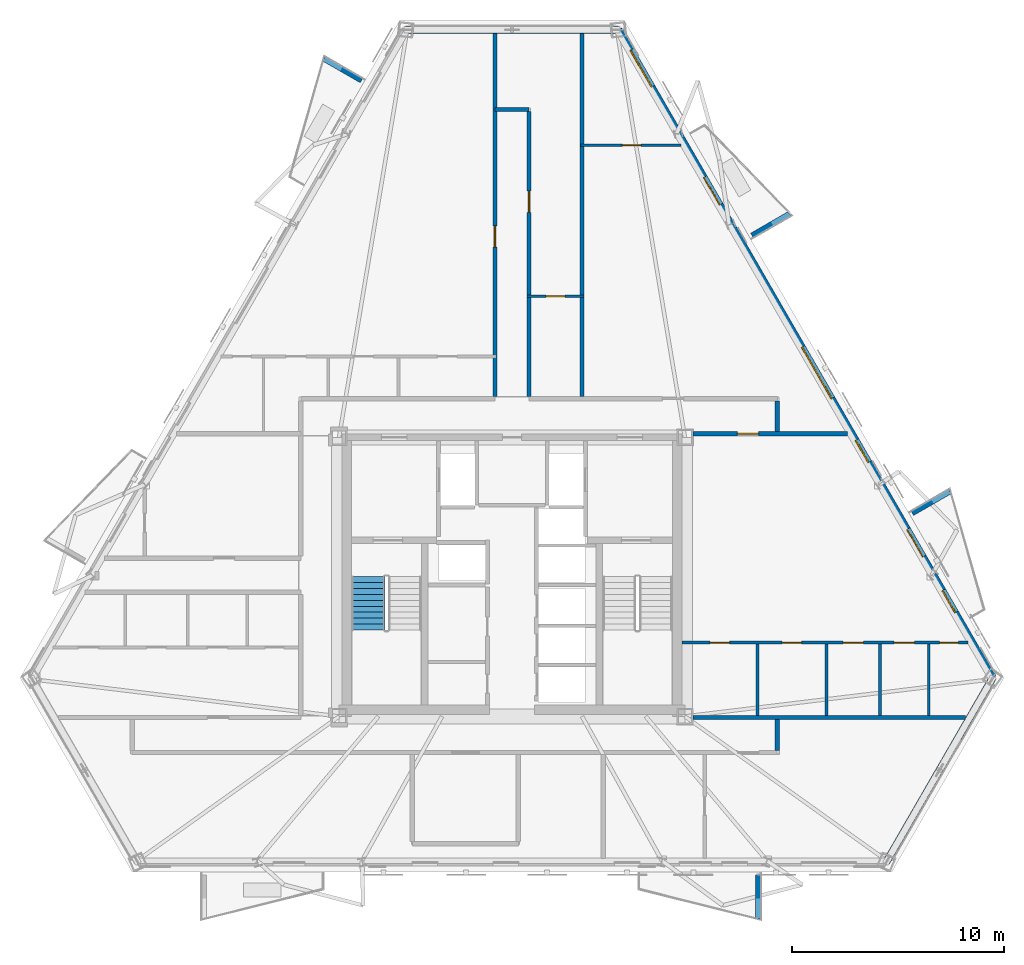
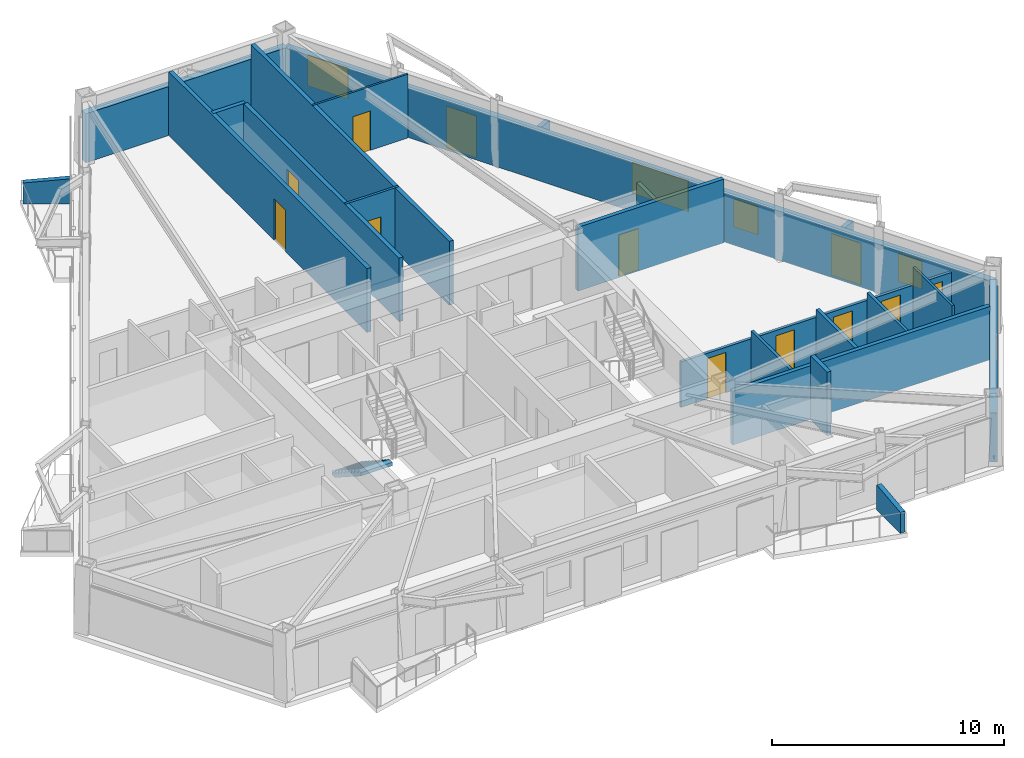
# One storey, part 5 of 9: 22 walls, 12 doors, 4 windows, 1 stair flight, 16 openings, 1 element without a shape of its own.
"""IFC4 building model written with IfcOpenShell, lengths in metres."""

from ifc_helpers import new_model, si_unit, direction, frame, frame_2d, origin, place, context, subcontext, project, spatial, polyline, rectangle, outline, extrude, material, layer, layer_set, type_object, element, fill, aggregate, save


model = new_model("IFC4")

# Units and contexts
model_context = context("Model", 3, precision=1e-05, world=origin(), true_north=direction((0.0, 1.0)))
body_context = subcontext(model_context, "Body", "Model", "MODEL_VIEW")
ifc_project = project(units=[si_unit("LENGTHUNIT", "METRE"), si_unit("AREAUNIT", "SQUARE_METRE"), si_unit("VOLUMEUNIT", "CUBIC_METRE"), si_unit("PLANEANGLEUNIT", "RADIAN"), si_unit("MASSUNIT", "GRAM", prefix="KILO")], contexts=[model_context])

# Site, building, storey
site_placement = place(None, origin())
site = spatial("IfcSite", under=ifc_project, at=site_placement, CompositionType="ELEMENT")
building_placement = place(site_placement, origin())
building = spatial("IfcBuilding", under=site, at=building_placement, Name="Oramaril Tower", CompositionType="ELEMENT")
storey_placement = place(building_placement, frame((0.0, 0.0, 138.60009765625)))
storey = spatial("IfcBuildingStorey", under=building, at=storey_placement, Name="L36", CompositionType="ELEMENT", Elevation=138.60009765625)

# Wall
ifc_material_1 = material(Name="Warm Cream Limestone", Category="masonry")
ifc_layer_1 = layer(ifc_material_1, 0.340087890625)
ifc_layer_set_1 = layer_set([ifc_layer_1], Name="WT-EXT34")
wall_type_1 = type_object("IfcWallType", Name="WT-EXT34", PredefinedType="SOLIDWALL", material=ifc_layer_set_1)
wall_1_placement = place(storey_placement, frame((55.132080078125, 4.120849609375, 0.0), z_axis=(0.0, 0.0, 1.0), x_axis=(0.500007885066, 0.866020851292, 0.0)))
element("IfcWall", 1, at=wall_1_placement, inside=storey, type_object=wall_type_1, Name="L36 Tower Limestone Facade Wall 3M", PredefinedType="SOLIDWALL", context=body_context, shape_type="SweptSolid", body=[
    extrude(rectangle(XDim=10.044677734375, YDim=0.340087890625, at=frame_2d((5.0224609375, 0.0))), origin(), (0.0, 0.0, 1.0), 2.579833984375),
])

# Wall, openings, doors, windows
wall_2_placement = place(storey_placement, frame((60.154541015625, 12.81982421875, 0.0), z_axis=(0.0, 0.0, 1.0), x_axis=(-0.499998325337, 0.86602637065, 0.0)))
wall_2 = element("IfcWall", 2, at=wall_2_placement, inside=storey, type_object=wall_type_1, Name="L36 Tower Limestone Facade Wall 4M", PredefinedType="SOLIDWALL", context=body_context, shape_type="SweptSolid", body=[
    extrude(rectangle(XDim=35.26416015625, YDim=0.340087890625, at=frame_2d((17.632080078125, 0.0))), origin(), (0.0, 0.0, 1.0), 2.579833984375),
])
opening_1_placement = place(wall_2_placement, frame((6.579345703125, 0.0, 0.0)))
opening_1 = element("IfcOpeningElement", 3, at=opening_1_placement, cuts=wall_2, Name="Opening D-L36-BAL-NE1", PredefinedType="OPENING", context=body_context, shape_type="SweptSolid", body=[
    extrude(rectangle(XDim=1.5, YDim=2.199951171875, at=frame_2d((0.75, 1.10009765625))), frame((0.0, 0.169921875, 0.0), z_axis=(0.0, -1.0, 0.0), x_axis=(1.0, 0.0, 0.0)), (0.0, 0.0, 1.0), 0.340087890625),
])
opening_2_placement = place(wall_2_placement, frame((25.729736328125, 0.0, 0.0)))
opening_2 = element("IfcOpeningElement", 4, at=opening_2_placement, cuts=wall_2, Name="Opening D-L36-BAL-NE2", PredefinedType="OPENING", context=body_context, shape_type="SweptSolid", body=[
    extrude(rectangle(XDim=1.5, YDim=2.199951171875, at=frame_2d((0.75, 1.10009765625))), frame((0.0, 0.169921875, 0.0), z_axis=(0.0, -1.0, 0.0), x_axis=(1.0, 0.0, 0.0)), (0.0, 0.0, 1.0), 0.340087890625),
])
opening_3_placement = place(wall_2_placement, frame((3.541015625, 0.0, 0.85009765625)))
opening_3 = element("IfcOpeningElement", 5, at=opening_3_placement, cuts=wall_2, Name="Opening WN-09", PredefinedType="OPENING", context=body_context, shape_type="SweptSolid", body=[
    extrude(rectangle(XDim=1.199951171875, YDim=1.47998046875, at=frame_2d((0.60009765625, 0.739990234375))), frame((0.0, 0.169921875, 0.0), z_axis=(0.0, -1.0, 0.0), x_axis=(1.0, 0.0, 0.0)), (0.0, 0.0, 1.0), 0.340087890625),
])
opening_4_placement = place(wall_2_placement, frame((11.719482421875, 0.0, 0.85009765625)))
opening_4 = element("IfcOpeningElement", 6, at=opening_4_placement, cuts=wall_2, Name="Opening WN-09", PredefinedType="OPENING", context=body_context, shape_type="SweptSolid", body=[
    extrude(rectangle(XDim=1.199951171875, YDim=1.47998046875, at=frame_2d((0.60009765625, 0.739990234375))), frame((0.0, 0.169921875, 0.0), z_axis=(0.0, -1.0, 0.0), x_axis=(1.0, 0.0, 0.0)), (0.0, 0.0, 1.0), 0.340087890625),
])
opening_5_placement = place(wall_2_placement, frame((15.188720703125, 0.0, 0.85009765625)))
opening_5 = element("IfcOpeningElement", 7, at=opening_5_placement, cuts=wall_2, Name="Opening WN-01", PredefinedType="OPENING", context=body_context, shape_type="SweptSolid", body=[
    extrude(rectangle(XDim=2.800048828125, YDim=1.6201171875, at=frame_2d((1.39990234375, 0.81005859375))), frame((0.0, 0.169921875, 0.0), z_axis=(0.0, -1.0, 0.0), x_axis=(1.0, 0.0, 0.0)), (0.0, 0.0, 1.0), 0.340087890625),
])
opening_6_placement = place(wall_2_placement, frame((32.1474609375, 0.0, 0.85009765625)))
opening_6 = element("IfcOpeningElement", 8, at=opening_6_placement, cuts=wall_2, Name="Opening WN-05", PredefinedType="OPENING", context=body_context, shape_type="SweptSolid", body=[
    extrude(rectangle(XDim=2.0, YDim=1.6201171875, at=frame_2d((1.0, 0.81005859375))), frame((0.0, 0.169921875, 0.0), z_axis=(0.0, -1.0, 0.0), x_axis=(1.0, 0.0, 0.0)), (0.0, 0.0, 1.0), 0.340087890625),
])
ifc_material_2 = material(Name="Anodised Aluminium 6063-T6", Category="aluminium")
door_type_1 = type_object("IfcDoorType", Name="DT-BAL", OperationType="NOTDEFINED", PredefinedType="DOOR", material=ifc_material_2)
door_1_placement = place(opening_1_placement, origin())
door_1 = element("IfcDoor", 9, at=door_1_placement, inside=storey, type_object=door_type_1, Name="L36 Balcony Glazed Door L36-BAL-NE1", OperationType="SINGLE_SWING_LEFT", OverallHeight=2.199951171875, OverallWidth=1.5, PredefinedType="DOOR", context=body_context, shape_type="SweptSolid", body=[
    extrude(rectangle(XDim=1.5, YDim=2.199951171875, at=frame_2d((0.75, 1.10009765625))), frame((0.0, 0.02490234375, 0.0), z_axis=(0.0, -1.0, 0.0), x_axis=(1.0, 0.0, 0.0)), (0.0, 0.0, 1.0), 0.050048828125),
])
fill(opening_1, door_1)
door_2_placement = place(opening_2_placement, origin())
door_2 = element("IfcDoor", 10, at=door_2_placement, inside=storey, type_object=door_type_1, Name="L36 Balcony Glazed Door L36-BAL-NE2", OperationType="SINGLE_SWING_RIGHT", OverallHeight=2.199951171875, OverallWidth=1.5, PredefinedType="DOOR", context=body_context, shape_type="SweptSolid", body=[
    extrude(rectangle(XDim=1.5, YDim=2.199951171875, at=frame_2d((0.75, 1.10009765625))), frame((0.0, 0.02490234375, 0.0), z_axis=(0.0, -1.0, 0.0), x_axis=(1.0, 0.0, 0.0)), (0.0, 0.0, 1.0), 0.050048828125),
])
fill(opening_2, door_2)
ifc_material_3 = material(Name="Coastal Low-E Insulated Glass", Category="glass")
window_type_1 = type_object("IfcWindowType", Name="WNT-01", PartitioningType="SINGLE_PANEL", PredefinedType="WINDOW", material=ifc_material_3)
window_1_placement = place(opening_5_placement, origin())
window_1 = element("IfcWindow", 11, at=window_1_placement, inside=storey, type_object=window_type_1, Name="L36 Chicago Bay Window WN-01", OverallHeight=1.6201171875, OverallWidth=2.800048828125, PartitioningType="SINGLE_PANEL", PredefinedType="WINDOW", context=body_context, shape_type="SweptSolid", body=[
    extrude(rectangle(XDim=2.800048828125, YDim=1.6201171875, at=frame_2d((1.39990234375, 0.81005859375))), frame((0.0, 0.030029296875, 0.0), z_axis=(0.0, -1.0, 0.0), x_axis=(1.0, 0.0, 0.0)), (0.0, 0.0, 1.0), 0.06005859375),
])
fill(opening_5, window_1)
ifc_material_4 = material(Name="Coastal Low-E Insulated Glass", Category="glass")
window_type_2 = type_object("IfcWindowType", Name="WNT-05", PartitioningType="SINGLE_PANEL", PredefinedType="WINDOW", material=ifc_material_4)
window_2_placement = place(opening_6_placement, origin())
window_2 = element("IfcWindow", 12, at=window_2_placement, inside=storey, type_object=window_type_2, Name="L36 Chicago Bay Window WN-05", OverallHeight=1.6201171875, OverallWidth=2.0, PartitioningType="SINGLE_PANEL", PredefinedType="WINDOW", context=body_context, shape_type="SweptSolid", body=[
    extrude(rectangle(XDim=2.0, YDim=1.6201171875, at=frame_2d((1.0, 0.81005859375))), frame((0.0, 0.030029296875, 0.0), z_axis=(0.0, -1.0, 0.0), x_axis=(1.0, 0.0, 0.0)), (0.0, 0.0, 1.0), 0.06005859375),
])
fill(opening_6, window_2)
ifc_material_5 = material(Name="Coastal Low-E Insulated Glass", Category="glass")
window_type_3 = type_object("IfcWindowType", Name="WNT-09", PartitioningType="SINGLE_PANEL", PredefinedType="WINDOW", material=ifc_material_5)
window_3_placement = place(opening_3_placement, origin())
window_3 = element("IfcWindow", 13, at=window_3_placement, inside=storey, type_object=window_type_3, Name="L36 Chicago Bay Window WN-09", OverallHeight=1.47998046875, OverallWidth=1.199951171875, PartitioningType="SINGLE_PANEL", PredefinedType="WINDOW", context=body_context, shape_type="SweptSolid", body=[
    extrude(rectangle(XDim=1.199951171875, YDim=1.47998046875, at=frame_2d((0.60009765625, 0.739990234375))), frame((0.0, 0.030029296875, 0.0), z_axis=(0.0, -1.0, 0.0), x_axis=(1.0, 0.0, 0.0)), (0.0, 0.0, 1.0), 0.06005859375),
])
fill(opening_3, window_3)
window_4_placement = place(opening_4_placement, origin())
window_4 = element("IfcWindow", 14, at=window_4_placement, inside=storey, type_object=window_type_3, Name="L36 Chicago Bay Window WN-09", OverallHeight=1.47998046875, OverallWidth=1.199951171875, PartitioningType="SINGLE_PANEL", PredefinedType="WINDOW", context=body_context, shape_type="SweptSolid", body=[
    extrude(rectangle(XDim=1.199951171875, YDim=1.47998046875, at=frame_2d((0.60009765625, 0.739990234375))), frame((0.0, 0.030029296875, 0.0), z_axis=(0.0, -1.0, 0.0), x_axis=(1.0, 0.0, 0.0)), (0.0, 0.0, 1.0), 0.06005859375),
])
fill(opening_4, window_4)

# Walls
wall_3_placement = place(storey_placement, frame((42.5224609375, 43.359619140625, 0.0), z_axis=(0.0, 0.0, 1.0), x_axis=(-1.0, 0.0, 0.0)))
element("IfcWall", 15, at=wall_3_placement, inside=storey, type_object=wall_type_1, Name="L36 Tower Limestone Facade Wall 5M", PredefinedType="SOLIDWALL", context=body_context, shape_type="SweptSolid", body=[
    extrude(rectangle(XDim=10.044921875, YDim=0.340087890625, at=frame_2d((5.0224609375, 0.0))), origin(), (0.0, 0.0, 1.0), 2.579833984375),
])
ifc_material_6 = material(Name="Concrete C40/50", Category="concrete")
ifc_layer_2 = layer(ifc_material_6, 0.22998046875)
ifc_layer_set_2 = layer_set([ifc_layer_2], Name="WT-PRP23")
wall_type_2 = type_object("IfcWallType", Name="WT-PRP23", PredefinedType="PARAPET", material=ifc_layer_set_2)
for number, where, z_axis, x_axis, name in (
    (16, (49.0927734375, 3.522705078125, 0.0), (0.0, 0.0, 1.0), (0.0, -1.0, 0.0), "L36 Trapezoidal Balcony Frame Cheek L36-BAL-S2-R"),
    (17, (56.3701171875, 20.5703125, 0.0), (0.0, 0.0, 1.0), (0.866042246008, 0.499970827278, 0.0), "L36 Trapezoidal Balcony Frame Cheek L36-BAL-NE1-R"),
    (18, (48.804931640625, 33.673583984375, 0.0), (0.0, 0.0, 1.0), (0.866042246008, 0.499970827278, 0.0), "L36 Trapezoidal Balcony Frame Cheek L36-BAL-NE2-L"),
):
    element("IfcWall", number, at=place(storey_placement, frame(where, z_axis=z_axis, x_axis=x_axis)), inside=storey, type_object=wall_type_2, Name=name, PredefinedType="PARAPET", context=body_context, shape_type="SweptSolid", body=[
        extrude(outline(polyline([(0.0, 0.0), (2.0419921875, 0.0), (2.0419921875, 1.099853515625), (0.0, 1.31982421875), (0.0, 0.0)])), frame((0.0, 0.114990234375, 0.0), z_axis=(0.0, -1.0, 0.0), x_axis=(1.0, 0.0, 0.0)), (0.0, 0.0, 1.0), 0.22998046875),
    ])
wall_4_placement = place(storey_placement, frame((30.402587890625, 40.961181640625, 0.0), z_axis=(0.0, 0.0, 1.0), x_axis=(-0.865990478488, 0.500060487509, 0.0)))
element("IfcWall", 19, at=wall_4_placement, inside=storey, type_object=wall_type_2, Name="L36 Trapezoidal Balcony Frame Cheek L36-BAL-NW1-L", PredefinedType="PARAPET", context=body_context, shape_type="SweptSolid", body=[
    extrude(outline(polyline([(0.0, 0.0), (2.042236328125, 0.0), (2.0419921875, 1.099853515625), (0.0, 1.31982421875), (0.0, 0.0)])), frame((0.0, 0.114990234375, 0.0), z_axis=(0.0, -1.0, 0.0), x_axis=(1.0, 0.0, 0.0)), (0.0, 0.0, 1.0), 0.22998046875),
])

# Wall, opening, door
ifc_material_7 = material(Name="Acoustic Gypsum Board Partition")
ifc_layer_3 = layer(ifc_material_7, 0.10009765625)
ifc_layer_set_3 = layer_set([ifc_layer_3], Name="WT-PT10")
wall_type_3 = type_object("IfcWallType", Name="WT-PT10", PredefinedType="PARTITIONING", material=ifc_layer_set_3)
wall_5_placement = place(storey_placement, frame((40.718017578125, 37.919921875, 0.0), z_axis=(0.0, 0.0, 1.0), x_axis=(1.0, 0.0, 0.0)))
wall_5 = element("IfcWall", 20, at=wall_5_placement, inside=storey, type_object=wall_type_3, Name="L36 Interior Partition PT-10", PredefinedType="PARTITIONING", context=body_context, shape_type="SweptSolid", body=[
    extrude(rectangle(XDim=4.743896484375, YDim=0.10009765625, at=frame_2d((2.3720703125, 0.0))), origin(), (0.0, 0.0, 1.0), 3.35986328125),
])
opening_7_placement = place(wall_5_placement, frame((1.9873046875, 0.0, 0.0)))
opening_7 = element("IfcOpeningElement", 21, at=opening_7_placement, cuts=wall_5, Name="Opening D-L36-21", PredefinedType="OPENING", context=body_context, shape_type="SweptSolid", body=[
    extrude(rectangle(XDim=0.8798828125, YDim=2.080078125, at=frame_2d((0.43994140625, 1.0400390625))), frame((0.0, 0.050048828125, 0.0), z_axis=(0.0, -1.0, 0.0), x_axis=(1.0, 0.0, 0.0)), (0.0, 0.0, 1.0), 0.10009765625),
])
ifc_material_8 = material(Name="FSC Brazilian Freijo Hardwood", Category="wood")
door_type_2 = type_object("IfcDoorType", Name="DT-BATH", OperationType="NOTDEFINED", PredefinedType="DOOR", material=ifc_material_8)
door_3_placement = place(opening_7_placement, origin())
door_3 = element("IfcDoor", 22, at=door_3_placement, inside=storey, type_object=door_type_2, Name="L36 Flat L36-U8 Bathroom Door D-L36-21", OperationType="SINGLE_SWING_LEFT", OverallHeight=2.080078125, OverallWidth=0.8798828125, PredefinedType="DOOR", context=body_context, shape_type="SweptSolid", body=[
    extrude(rectangle(XDim=0.8798828125, YDim=2.080078125, at=frame_2d((0.43994140625, 1.0400390625))), frame((0.0, 0.02490234375, 0.0), z_axis=(0.0, -1.0, 0.0), x_axis=(1.0, 0.0, 0.0)), (0.0, 0.0, 1.0), 0.050048828125),
])
fill(opening_7, door_3)

ifc_material_9 = material(Name="Acoustic Gypsum Board Partition")
ifc_layer_4 = layer(ifc_material_9, 0.1201171875)
ifc_layer_set_4 = layer_set([ifc_layer_4], Name="WT-PT12")
wall_type_4 = type_object("IfcWallType", Name="WT-PT12", PredefinedType="PARTITIONING", material=ifc_layer_set_4)
wall_6_placement = place(storey_placement, frame((38.218017578125, 30.800048828125, 0.0), z_axis=(0.0, 0.0, 1.0), x_axis=(1.0, 0.0, 0.0)))
wall_6 = element("IfcWall", 23, at=wall_6_placement, inside=storey, type_object=wall_type_4, Name="L36 Interior Partition PT-12", PredefinedType="PARTITIONING", context=body_context, shape_type="SweptSolid", body=[
    extrude(rectangle(XDim=2.6640625, YDim=0.1201171875, at=frame_2d((1.33203125, 0.0))), origin(), (0.0, 0.0, 1.0), 3.35986328125),
])
opening_8_placement = place(wall_6_placement, frame((0.89208984375, 0.0, 0.0)))
opening_8 = element("IfcOpeningElement", 24, at=opening_8_placement, cuts=wall_6, Name="Opening D-L36-20", PredefinedType="OPENING", context=body_context, shape_type="SweptSolid", body=[
    extrude(rectangle(XDim=0.8798828125, YDim=2.080078125, at=frame_2d((0.43994140625, 1.0400390625))), frame((0.0, 0.06005859375, 0.0), z_axis=(0.0, -1.0, 0.0), x_axis=(1.0, 0.0, 0.0)), (0.0, 0.0, 1.0), 0.1201171875),
])
door_4_placement = place(opening_8_placement, origin())
door_4 = element("IfcDoor", 25, at=door_4_placement, inside=storey, type_object=door_type_2, Name="L36 Flat L36-U7 Bathroom Door D-L36-20", OperationType="SINGLE_SWING_RIGHT", OverallHeight=2.080078125, OverallWidth=0.8798828125, PredefinedType="DOOR", context=body_context, shape_type="SweptSolid", body=[
    extrude(rectangle(XDim=0.8798828125, YDim=2.080078125, at=frame_2d((0.43994140625, 1.0400390625))), frame((0.0, 0.02490234375, 0.0), z_axis=(0.0, -1.0, 0.0), x_axis=(1.0, 0.0, 0.0)), (0.0, 0.0, 1.0), 0.050048828125),
])
fill(opening_8, door_4)

# Wall
wall_7_placement = place(storey_placement, frame((57.1298828125, 11.053955078125, 0.0), z_axis=(0.0, 0.0, 1.0), x_axis=(0.0, 1.0, 0.0)))
element("IfcWall", 26, at=wall_7_placement, inside=storey, type_object=wall_type_4, Name="L36 Interior Partition PT-12", PredefinedType="PARTITIONING", context=body_context, shape_type="SweptSolid", body=[
    extrude(rectangle(XDim=3.35205078125, YDim=0.1201171875, at=frame_2d((1.676025390625, 0.0))), origin(), (0.0, 0.0, 1.0), 3.35986328125),
])

# Wall, openings, doors
ifc_material_10 = material(Name="Acoustic Gypsum Board Partition")
ifc_layer_5 = layer(ifc_material_10, 0.139892578125)
ifc_layer_set_5 = layer_set([ifc_layer_5], Name="WT-PT14")
wall_type_5 = type_object("IfcWallType", Name="WT-PT14", PredefinedType="PARTITIONING", material=ifc_layer_set_5)
wall_8_placement = place(storey_placement, frame((45.513916015625, 14.47998046875, 0.0), z_axis=(0.0, 0.0, 1.0), x_axis=(1.0, 0.0, 0.0)))
wall_8 = element("IfcWall", 27, at=wall_8_placement, inside=storey, type_object=wall_type_5, Name="L36 Interior Partition PT-14", PredefinedType="PARTITIONING", context=body_context, shape_type="SweptSolid", body=[
    extrude(rectangle(XDim=13.481201171875, YDim=0.139892578125, at=frame_2d((6.74072265625, 0.0))), origin(), (0.0, 0.0, 1.0), 2.39990234375),
])
opening_9_placement = place(wall_8_placement, frame((1.32421875, 0.0, 0.0)))
opening_9 = element("IfcOpeningElement", 28, at=opening_9_placement, cuts=wall_8, Name="Opening D-L36-08", PredefinedType="OPENING", context=body_context, shape_type="SweptSolid", body=[
    extrude(rectangle(XDim=0.919921875, YDim=2.1201171875, at=frame_2d((0.4599609375, 1.06005859375))), frame((0.0, 0.06982421875, 0.0), z_axis=(0.0, -1.0, 0.0), x_axis=(1.0, 0.0, 0.0)), (0.0, 0.0, 1.0), 0.139892578125),
])
opening_10_placement = place(wall_8_placement, frame((4.720703125, 0.0, 0.0)))
opening_10 = element("IfcOpeningElement", 29, at=opening_10_placement, cuts=wall_8, Name="Opening D-L36-09", PredefinedType="OPENING", context=body_context, shape_type="SweptSolid", body=[
    extrude(rectangle(XDim=0.919921875, YDim=2.1201171875, at=frame_2d((0.4599609375, 1.06005859375))), frame((0.0, 0.06982421875, 0.0), z_axis=(0.0, -1.0, 0.0), x_axis=(1.0, 0.0, 0.0)), (0.0, 0.0, 1.0), 0.139892578125),
])
opening_11_placement = place(wall_8_placement, frame((7.590576171875, 0.0, 0.0)))
opening_11 = element("IfcOpeningElement", 30, at=opening_11_placement, cuts=wall_8, Name="Opening D-L36-10", PredefinedType="OPENING", context=body_context, shape_type="SweptSolid", body=[
    extrude(rectangle(XDim=0.949951171875, YDim=2.10009765625, at=frame_2d((0.47509765625, 1.050048828125))), frame((0.0, 0.06982421875, 0.0), z_axis=(0.0, -1.0, 0.0), x_axis=(1.0, 0.0, 0.0)), (0.0, 0.0, 1.0), 0.139892578125),
])
opening_12_placement = place(wall_8_placement, frame((9.995361328125, 0.0, 0.0)))
opening_12 = element("IfcOpeningElement", 31, at=opening_12_placement, cuts=wall_8, Name="Opening D-L36-11", PredefinedType="OPENING", context=body_context, shape_type="SweptSolid", body=[
    extrude(rectangle(XDim=0.949951171875, YDim=2.10009765625, at=frame_2d((0.47509765625, 1.050048828125))), frame((0.0, 0.06982421875, 0.0), z_axis=(0.0, -1.0, 0.0), x_axis=(1.0, 0.0, 0.0)), (0.0, 0.0, 1.0), 0.139892578125),
])
opening_13_placement = place(wall_8_placement, frame((12.138671875, 0.0, 0.0)))
opening_13 = element("IfcOpeningElement", 32, at=opening_13_placement, cuts=wall_8, Name="Opening D-L36-12", PredefinedType="OPENING", context=body_context, shape_type="SweptSolid", body=[
    extrude(rectangle(XDim=0.8798828125, YDim=2.080078125, at=frame_2d((0.43994140625, 1.0400390625))), frame((0.0, 0.06982421875, 0.0), z_axis=(0.0, -1.0, 0.0), x_axis=(1.0, 0.0, 0.0)), (0.0, 0.0, 1.0), 0.139892578125),
])
door_5_placement = place(opening_13_placement, origin())
door_5 = element("IfcDoor", 33, at=door_5_placement, inside=storey, type_object=door_type_2, Name="L36 Flat L36-U5 Bathroom Door D-L36-12", OperationType="SINGLE_SWING_RIGHT", OverallHeight=2.080078125, OverallWidth=0.8798828125, PredefinedType="DOOR", context=body_context, shape_type="SweptSolid", body=[
    extrude(rectangle(XDim=0.8798828125, YDim=2.080078125, at=frame_2d((0.43994140625, 1.0400390625))), frame((0.0, 0.02490234375, 0.0), z_axis=(0.0, -1.0, 0.0), x_axis=(1.0, 0.0, 0.0)), (0.0, 0.0, 1.0), 0.050048828125),
])
fill(opening_13, door_5)
ifc_material_11 = material(Name="FSC Brazilian Freijo Hardwood", Category="wood")
door_type_3 = type_object("IfcDoorType", Name="DT-BED", OperationType="NOTDEFINED", PredefinedType="DOOR", material=ifc_material_11)
door_6_placement = place(opening_9_placement, origin())
door_6 = element("IfcDoor", 34, at=door_6_placement, inside=storey, type_object=door_type_3, Name="L36 Flat L36-U5 Master Bedroom Door D-L36-08", OperationType="SINGLE_SWING_RIGHT", OverallHeight=2.1201171875, OverallWidth=0.919921875, PredefinedType="DOOR", context=body_context, shape_type="SweptSolid", body=[
    extrude(rectangle(XDim=0.919921875, YDim=2.1201171875, at=frame_2d((0.4599609375, 1.06005859375))), frame((0.0, 0.02490234375, 0.0), z_axis=(0.0, -1.0, 0.0), x_axis=(1.0, 0.0, 0.0)), (0.0, 0.0, 1.0), 0.050048828125),
])
fill(opening_9, door_6)
door_7_placement = place(opening_10_placement, origin())
door_7 = element("IfcDoor", 35, at=door_7_placement, inside=storey, type_object=door_type_3, Name="L36 Flat L36-U5 Bedroom 2 Door D-L36-09", OperationType="SINGLE_SWING_LEFT", OverallHeight=2.1201171875, OverallWidth=0.919921875, PredefinedType="DOOR", context=body_context, shape_type="SweptSolid", body=[
    extrude(rectangle(XDim=0.919921875, YDim=2.1201171875, at=frame_2d((0.4599609375, 1.06005859375))), frame((0.0, 0.02490234375, 0.0), z_axis=(0.0, -1.0, 0.0), x_axis=(1.0, 0.0, 0.0)), (0.0, 0.0, 1.0), 0.050048828125),
])
fill(opening_10, door_7)
ifc_material_12 = material(Name="FSC Brazilian Freijo Hardwood", Category="wood")
door_type_4 = type_object("IfcDoorType", Name="DT-STDY", OperationType="NOTDEFINED", PredefinedType="DOOR", material=ifc_material_12)
door_8_placement = place(opening_11_placement, origin())
door_8 = element("IfcDoor", 36, at=door_8_placement, inside=storey, type_object=door_type_4, Name="L36 Flat L36-U5 Breakfast Dining Room Door D-L36-10", OperationType="SINGLE_SWING_RIGHT", OverallHeight=2.10009765625, OverallWidth=0.949951171875, PredefinedType="DOOR", context=body_context, shape_type="SweptSolid", body=[
    extrude(rectangle(XDim=0.949951171875, YDim=2.10009765625, at=frame_2d((0.47509765625, 1.050048828125))), frame((0.0, 0.02490234375, 0.0), z_axis=(0.0, -1.0, 0.0), x_axis=(1.0, 0.0, 0.0)), (0.0, 0.0, 1.0), 0.050048828125),
])
fill(opening_11, door_8)
door_9_placement = place(opening_12_placement, origin())
door_9 = element("IfcDoor", 37, at=door_9_placement, inside=storey, type_object=door_type_4, Name="L36 Flat L36-U5 Kitchen Door D-L36-11", OperationType="SINGLE_SWING_LEFT", OverallHeight=2.10009765625, OverallWidth=0.949951171875, PredefinedType="DOOR", context=body_context, shape_type="SweptSolid", body=[
    extrude(rectangle(XDim=0.949951171875, YDim=2.10009765625, at=frame_2d((0.47509765625, 1.050048828125))), frame((0.0, 0.02490234375, 0.0), z_axis=(0.0, -1.0, 0.0), x_axis=(1.0, 0.0, 0.0)), (0.0, 0.0, 1.0), 0.050048828125),
])
fill(opening_12, door_9)

# Walls
for number, where, z_axis, x_axis, name in (
    (38, (49.070068359375, 11.053955078125, 0.0), (0.0, 0.0, 1.0), (0.0, 1.0, 0.0), "L36 Interior Partition PT-14"),
    (39, (54.840087890625, 11.053955078125, 0.0), (0.0, 0.0, 1.0), (0.0, 1.0, 0.0), "L36 Interior Partition PT-14"),
):
    element("IfcWall", number, at=place(storey_placement, frame(where, z_axis=z_axis, x_axis=x_axis)), inside=storey, type_object=wall_type_5, Name=name, PredefinedType="PARTITIONING", context=body_context, shape_type="SweptSolid", body=[
        extrude(rectangle(XDim=3.35205078125, YDim=0.139892578125, at=frame_2d((1.676025390625, 0.0))), origin(), (0.0, 0.0, 1.0), 2.822021484375),
    ])
ifc_material_13 = material(Name="Acoustic Gypsum Board Partition")
ifc_layer_6 = layer(ifc_material_13, 0.159912109375)
ifc_layer_set_6 = layer_set([ifc_layer_6], Name="WT-PT16")
wall_type_6 = type_object("IfcWallType", Name="WT-PT16", PredefinedType="PARTITIONING", material=ifc_layer_set_6)
wall_9_placement = place(storey_placement, frame((52.320068359375, 11.053955078125, 0.0), z_axis=(0.0, 0.0, 1.0), x_axis=(0.0, 1.0, 0.0)))
element("IfcWall", 40, at=wall_9_placement, inside=storey, type_object=wall_type_6, Name="L36 Interior Partition PT-16", PredefinedType="PARTITIONING", context=body_context, shape_type="SweptSolid", body=[
    extrude(rectangle(XDim=3.35205078125, YDim=0.159912109375, at=frame_2d((1.676025390625, 0.0))), origin(), (0.0, 0.0, 1.0), 2.822021484375),
])
ifc_material_14 = material(Name="Autoclaved Cellular Concrete Block", Category="concrete")
ifc_layer_7 = layer(ifc_material_14, 0.199951171875)
ifc_layer_set_7 = layer_set([ifc_layer_7], Name="WT-PT20")
wall_type_7 = type_object("IfcWallType", Name="WT-PT20", PredefinedType="PARTITIONING", material=ifc_layer_set_7)
wall_10_placement = place(storey_placement, frame((46.0400390625, 10.949951171875, 0.0), z_axis=(0.0, 0.0, 1.0), x_axis=(1.0, 0.0, 0.0)))
element("IfcWall", 41, at=wall_10_placement, inside=storey, type_object=wall_type_7, Name="L36 Interior Partition PT-20", PredefinedType="PARTITIONING", context=body_context, shape_type="SweptSolid", body=[
    extrude(rectangle(XDim=12.833984375, YDim=0.199951171875, at=frame_2d((6.4169921875, 0.0))), origin(), (0.0, 0.0, 1.0), 2.822021484375),
])

# Wall, opening, door
wall_11_placement = place(storey_placement, frame((46.0400390625, 24.320068359375, 0.0), z_axis=(0.0, 0.0, 1.0), x_axis=(1.0, 0.0, 0.0)))
wall_11 = element("IfcWall", 42, at=wall_11_placement, inside=storey, type_object=wall_type_7, Name="L36 Interior Partition PT-20", PredefinedType="PARTITIONING", context=body_context, shape_type="SweptSolid", body=[
    extrude(rectangle(XDim=7.27392578125, YDim=0.199951171875, at=frame_2d((3.636962890625, 0.0))), origin(), (0.0, 0.0, 1.0), 3.35986328125),
])
opening_14_placement = place(wall_11_placement, frame((2.076904296875, 0.0, 0.0)))
opening_14 = element("IfcOpeningElement", 43, at=opening_14_placement, cuts=wall_11, Name="Opening D-L36-14", PredefinedType="OPENING", context=body_context, shape_type="SweptSolid", body=[
    extrude(rectangle(XDim=1.0, YDim=2.179931640625, at=frame_2d((0.5, 1.08984375))), frame((0.0, 0.10009765625, 0.0), z_axis=(0.0, -1.0, 0.0), x_axis=(1.0, 0.0, 0.0)), (0.0, 0.0, 1.0), 0.199951171875),
])
ifc_material_15 = material(Name="FSC Brazilian Freijo Hardwood", Category="wood")
door_type_5 = type_object("IfcDoorType", Name="DT-APT", OperationType="NOTDEFINED", PredefinedType="DOOR", material=ifc_material_15)
door_10_placement = place(opening_14_placement, origin())
door_10 = element("IfcDoor", 44, at=door_10_placement, inside=storey, type_object=door_type_5, Name="L36 Flat L36-U5 Penthouse 2-Bedroom Living and Dining Room Door D-L36-14", OperationType="SINGLE_SWING_RIGHT", OverallHeight=2.179931640625, OverallWidth=1.0, PredefinedType="DOOR", context=body_context, shape_type="SweptSolid", body=[
    extrude(rectangle(XDim=1.0, YDim=2.179931640625, at=frame_2d((0.5, 1.08984375))), frame((0.0, 0.02490234375, 0.0), z_axis=(0.0, -1.0, 0.0), x_axis=(1.0, 0.0, 0.0)), (0.0, 0.0, 1.0), 0.050048828125),
])
fill(opening_14, door_10)

# Wall
wall_12_placement = place(storey_placement, frame((36.699951171875, 39.60009765625, 0.0), z_axis=(0.0, 0.0, 1.0), x_axis=(1.0, 0.0, 0.0)))
element("IfcWall", 45, at=wall_12_placement, inside=storey, type_object=wall_type_7, Name="L36 Interior Partition PT-20", PredefinedType="PARTITIONING", context=body_context, shape_type="SweptSolid", body=[
    extrude(rectangle(XDim=1.60009765625, YDim=0.199951171875, at=frame_2d((0.800048828125, 0.0))), origin(), (0.0, 0.0, 1.0), 3.35986328125),
])

# Wall, opening, door
wall_13_placement = place(storey_placement, frame((36.699951171875, 26.073974609375, 0.0), z_axis=(0.0, 0.0, 1.0), x_axis=(0.0, 1.0, 0.0)))
wall_13 = element("IfcWall", 46, at=wall_13_placement, inside=storey, type_object=wall_type_7, Name="L36 Interior Partition PT-20", PredefinedType="PARTITIONING", context=body_context, shape_type="SweptSolid", body=[
    extrude(rectangle(XDim=17.111572265625, YDim=0.199951171875, at=frame_2d((8.5556640625, 0.0))), origin(), (0.0, 0.0, 1.0), 3.35986328125),
])
opening_15_placement = place(wall_13_placement, frame((7.04150390625, 0.0, 0.0)))
opening_15 = element("IfcOpeningElement", 47, at=opening_15_placement, cuts=wall_13, Name="Opening D-L36-23", PredefinedType="OPENING", context=body_context, shape_type="SweptSolid", body=[
    extrude(rectangle(XDim=1.0, YDim=2.179931640625, at=frame_2d((0.5, 1.08984375))), frame((0.0, 0.10009765625, 0.0), z_axis=(0.0, -1.0, 0.0), x_axis=(1.0, 0.0, 0.0)), (0.0, 0.0, 1.0), 0.199951171875),
])
door_11_placement = place(opening_15_placement, origin())
door_11 = element("IfcDoor", 48, at=door_11_placement, inside=storey, type_object=door_type_5, Name="L36 Flat L36-U6 Penthouse Living and Dining Room Door D-L36-23", OperationType="SINGLE_SWING_LEFT", OverallHeight=2.179931640625, OverallWidth=1.0, PredefinedType="DOOR", context=body_context, shape_type="SweptSolid", body=[
    extrude(rectangle(XDim=1.0, YDim=2.179931640625, at=frame_2d((0.5, 1.08984375))), frame((0.0, 0.02490234375, 0.0), z_axis=(0.0, -1.0, 0.0), x_axis=(1.0, 0.0, 0.0)), (0.0, 0.0, 1.0), 0.050048828125),
])
fill(opening_15, door_11)

wall_14_placement = place(storey_placement, frame((38.300048828125, 26.073974609375, 0.0), z_axis=(0.0, 0.0, 1.0), x_axis=(0.0, 1.0, 0.0)))
wall_14 = element("IfcWall", 49, at=wall_14_placement, inside=storey, type_object=wall_type_7, Name="L36 Interior Partition PT-20", PredefinedType="PARTITIONING", context=body_context, shape_type="SweptSolid", body=[
    extrude(rectangle(XDim=13.422119140625, YDim=0.199951171875, at=frame_2d((6.7109375, 0.0))), origin(), (0.0, 0.0, 1.0), 3.35986328125),
])
opening_16_placement = place(wall_14_placement, frame((8.677734375, 0.0, 0.0)))
opening_16 = element("IfcOpeningElement", 50, at=opening_16_placement, cuts=wall_14, Name="Opening D-L36-24", PredefinedType="OPENING", context=body_context, shape_type="SweptSolid", body=[
    extrude(rectangle(XDim=1.0, YDim=2.179931640625, at=frame_2d((0.5, 1.08984375))), frame((0.0, 0.10009765625, 0.0), z_axis=(0.0, -1.0, 0.0), x_axis=(1.0, 0.0, 0.0)), (0.0, 0.0, 1.0), 0.199951171875),
])
door_12_placement = place(opening_16_placement, origin())
door_12 = element("IfcDoor", 51, at=door_12_placement, inside=storey, type_object=door_type_5, Name="L36 Flat L36-U7 Kitchen and Studio Apartment Door D-L36-24", OperationType="SINGLE_SWING_RIGHT", OverallHeight=2.179931640625, OverallWidth=1.0, PredefinedType="DOOR", context=body_context, shape_type="SweptSolid", body=[
    extrude(rectangle(XDim=1.0, YDim=2.179931640625, at=frame_2d((0.5, 1.08984375))), frame((0.0, 0.02490234375, 0.0), z_axis=(0.0, -1.0, 0.0), x_axis=(1.0, 0.0, 0.0)), (0.0, 0.0, 1.0), 0.050048828125),
])
fill(opening_16, door_12)

# Walls
wall_15_placement = place(storey_placement, frame((40.800048828125, 26.073974609375, 0.0), z_axis=(0.0, 0.0, 1.0), x_axis=(0.0, 1.0, 0.0)))
element("IfcWall", 52, at=wall_15_placement, inside=storey, type_object=wall_type_7, Name="L36 Interior Partition PT-20", PredefinedType="PARTITIONING", context=body_context, shape_type="SweptSolid", body=[
    extrude(rectangle(XDim=17.111572265625, YDim=0.199951171875, at=frame_2d((8.5556640625, 0.0))), origin(), (0.0, 0.0, 1.0), 3.35986328125),
])
for number, where, z_axis, x_axis, name in (
    (53, (50.0, 9.404052734375, 0.0), (0.0, 0.0, 1.0), (0.0, 1.0, 0.0), "L36 Interior Partition PT-20"),
    (54, (50.0, 24.424072265625, 0.0), (0.0, 0.0, 1.0), (0.0, 1.0, 0.0), "L36 Interior Partition PT-20"),
):
    element("IfcWall", number, at=place(storey_placement, frame(where, z_axis=z_axis, x_axis=x_axis)), inside=storey, type_object=wall_type_7, Name=name, PredefinedType="PARTITIONING", context=body_context, shape_type="SweptSolid", body=[
        extrude(rectangle(XDim=1.44189453125, YDim=0.199951171875, at=frame_2d((0.720947265625, 0.0))), origin(), (0.0, 0.0, 1.0), 3.35986328125),
    ])

# Stair, stair flight
ifc_material_16 = material(Name="Concrete C50/60", Category="concrete")
stair_type = type_object("IfcStairType", Name="STT-DG-3600", PredefinedType="HALF_TURN_STAIR", material=ifc_material_16)
stair_placement = place(storey_placement, origin())
stair = element("IfcStair", 55, at=stair_placement, inside=storey, type_object=stair_type, Name="L36 Protected PFP Exit Stair ST-1", PredefinedType="HALF_TURN_STAIR")
ifc_material_17 = material(Name="Concrete C50/60", Category="concrete")
stair_flight_type = type_object("IfcStairFlightType", Name="SFT-DG-3600", PredefinedType="STRAIGHT", material=ifc_material_17)
stair_flight_placement = place(storey_placement, frame((30.72998046875, 17.590087890625, 0.0), z_axis=(0.0, 0.0, 1.0), x_axis=(0.0, -1.0, 0.0)))
stair_flight = element("IfcStairFlight", 56, at=stair_flight_placement, type_object=stair_flight_type, Name="ST-1 flight 1", NumberOfRisers=10, NumberOfTreads=9, PredefinedType="STRAIGHT", RiserHeight=0.18, TreadLength=0.28, context=body_context, shape_type="SweptSolid", body=[
    extrude(outline(polyline([(0.0, 0.0), (0.0, 0.179931640625), (0.280029296875, 0.179931640625), (0.280029296875, 0.360107421875), (0.56005859375, 0.360107421875), (0.56005859375, 0.5400390625), (0.840087890625, 0.5400390625), (0.840087890625, 0.719970703125), (1.1201171875, 0.719970703125), (1.1201171875, 0.89990234375), (1.39990234375, 0.89990234375), (1.39990234375, 1.080078125), (1.679931640625, 1.080078125), (1.679931640625, 1.260009765625), (1.9599609375, 1.260009765625), (1.9599609375, 1.43994140625), (2.239990234375, 1.43994140625), (2.239990234375, 1.6201171875), (2.52001953125, 1.6201171875), (2.52001953125, 1.800048828125), (2.52001953125, 1.44189453125), (0.277099609375, 0.0), (0.0, 0.0)])), frame((0.0, 0.780029296875, 0.0), z_axis=(0.0, -1.0, 0.0), x_axis=(1.0, 0.0, 0.0)), (0.0, 0.0, 1.0), 1.56005859375),
])
aggregate(stair, [stair_flight])

save(model, "model.ifc")
